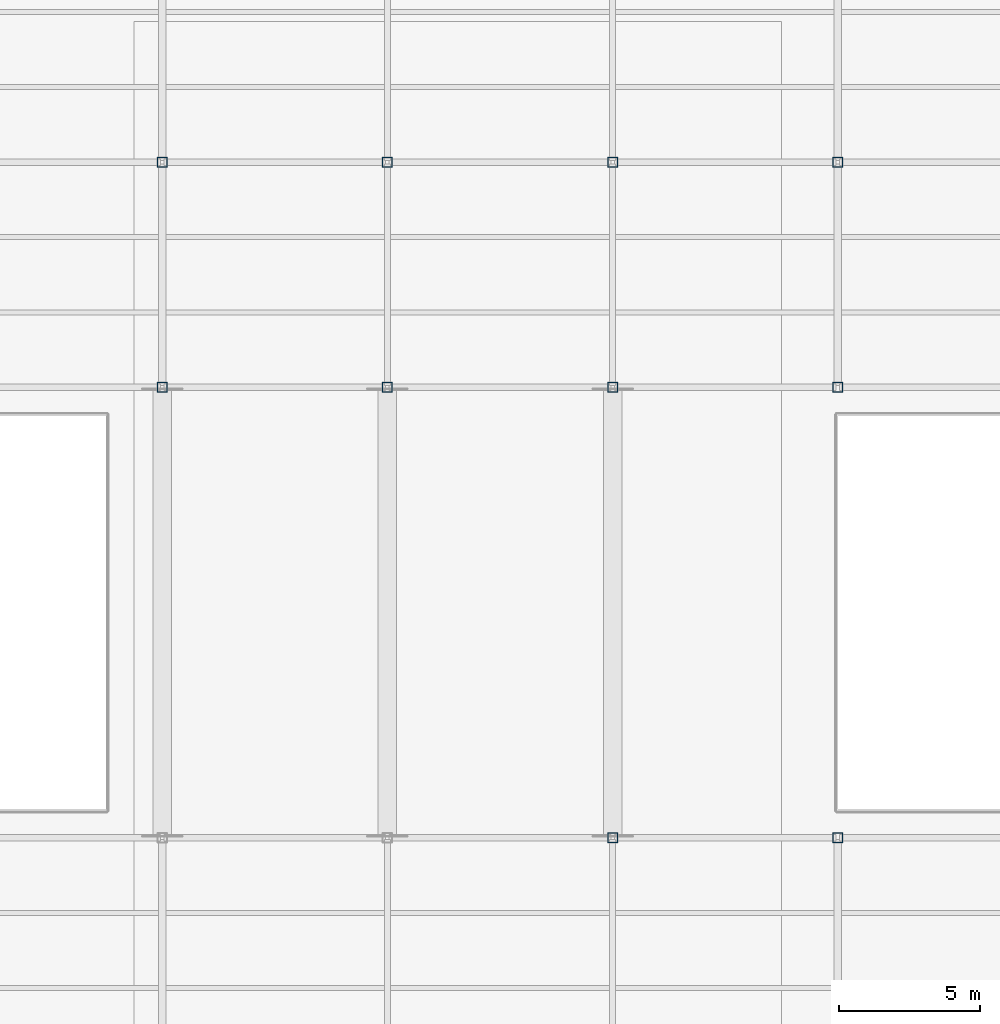
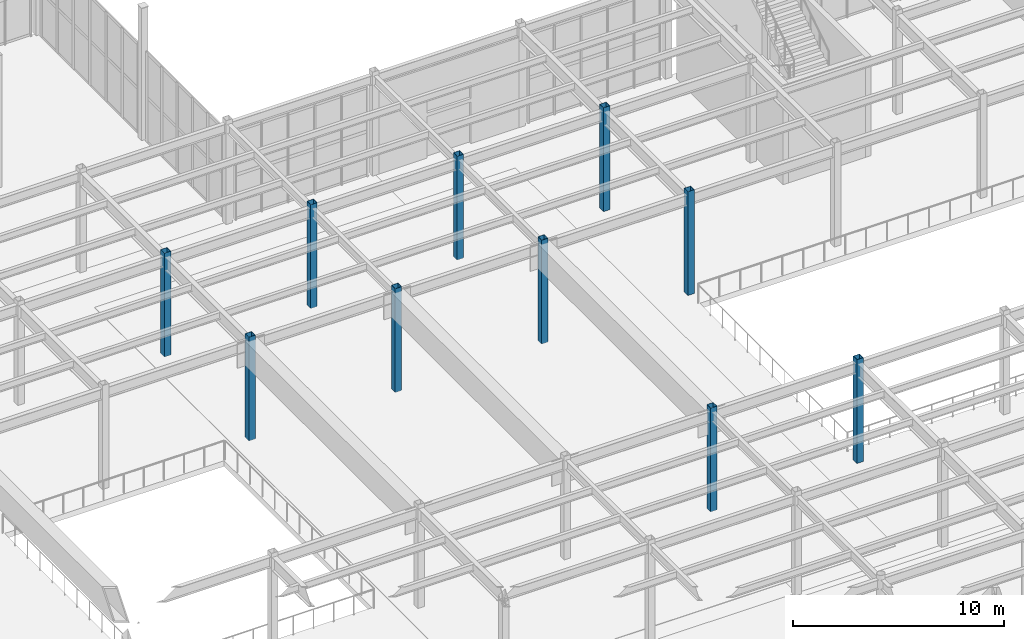
# One storey, part 14 of 82: 10 columns.
"""IFC4 building model written with IfcOpenShell, lengths in metres."""

from ifc_helpers import new_model, si_unit, direction, frame, origin, origin_2d, place, context, subcontext, project, spatial, hollow_rectangle, extrude, material, material_profile, profile_set, type_object, element, save


model = new_model("IFC4")

# Units and contexts
model_context = context("Model", 3, precision=1e-05, world=origin(), true_north=direction((0.0, 1.0)))
body_context = subcontext(model_context, "Body", "Model", "MODEL_VIEW")
ifc_project = project(units=[si_unit("LENGTHUNIT", "METRE"), si_unit("AREAUNIT", "SQUARE_METRE"), si_unit("VOLUMEUNIT", "CUBIC_METRE"), si_unit("PLANEANGLEUNIT", "RADIAN"), si_unit("MASSUNIT", "GRAM", prefix="KILO")], contexts=[model_context])

# Site, building, storey
site_placement = place(None, origin())
site = spatial("IfcSite", under=ifc_project, at=site_placement, CompositionType="ELEMENT")
building_placement = place(site_placement, origin())
building = spatial("IfcBuilding", under=site, at=building_placement, Name="Drelvath Fold Interchange", CompositionType="ELEMENT")
storey_placement = place(building_placement, origin())
storey = spatial("IfcBuildingStorey", under=building, at=storey_placement, Name="L00", CompositionType="ELEMENT", Elevation=0.0)

# Columns
ifc_material = material(Name="Steel ASTM A500 Grade C", Category="steel")
ifc_material_profile = material_profile(ifc_material, hollow_rectangle(XDim=0.35595703125, YDim=0.35595703125, WallThickness=0.014892578125, at=origin_2d()), Name="HSS14X14X5/8")
ifc_profile_set = profile_set([ifc_material_profile], Name="Steel ASTM A500 Grade C")
column_type = type_object("IfcColumnType", Name="COL-HSS356", PredefinedType="COLUMN", material=ifc_profile_set)
for number, where, z_axis, x_axis, name in (
    (1, (36.0, 83.0, 0.0), (0.0, 0.0, 1.0), (1.0, 0.0, 0.0), "L00 column (36,83)"),
    (2, (36.0, 91.0, 0.0), (0.0, 0.0, 1.0), (1.0, 0.0, 0.0), "L00 column (36,91)"),
    (3, (44.0, 83.0, 0.0), (0.0, 0.0, 1.0), (1.0, 0.0, 0.0), "L00 column (44,83)"),
    (4, (44.0, 91.0, 0.0), (0.0, 0.0, 1.0), (1.0, 0.0, 0.0), "L00 column (44,91)"),
    (5, (52.0, 67.0, 0.0), (0.0, 0.0, 1.0), (1.0, 0.0, 0.0), "L00 column (52,67)"),
    (6, (52.0, 83.0, 0.0), (0.0, 0.0, 1.0), (1.0, 0.0, 0.0), "L00 column (52,83)"),
    (7, (52.0, 91.0, 0.0), (0.0, 0.0, 1.0), (1.0, 0.0, 0.0), "L00 column (52,91)"),
    (8, (60.0, 67.0, 0.0), (0.0, 0.0, 1.0), (1.0, 0.0, 0.0), "L00 column (60,67)"),
    (9, (60.0, 83.0, 0.0), (0.0, 0.0, 1.0), (1.0, 0.0, 0.0), "L00 column (60,83)"),
    (10, (60.0, 91.0, 0.0), (0.0, 0.0, 1.0), (1.0, 0.0, 0.0), "L00 column (60,91)"),
):
    element("IfcColumn", number, at=place(storey_placement, frame(where, z_axis=z_axis, x_axis=x_axis)), inside=storey, type_object=column_type, Name=name, PredefinedType="COLUMN", context=body_context, shape_type="SweptSolid", body=[
        extrude(hollow_rectangle(XDim=0.35595703125, YDim=0.35595703125, WallThickness=0.014892578125, at=origin_2d()), origin(), (0.0, 0.0, 1.0), 6.0),
    ])

save(model, "model.ifc")
